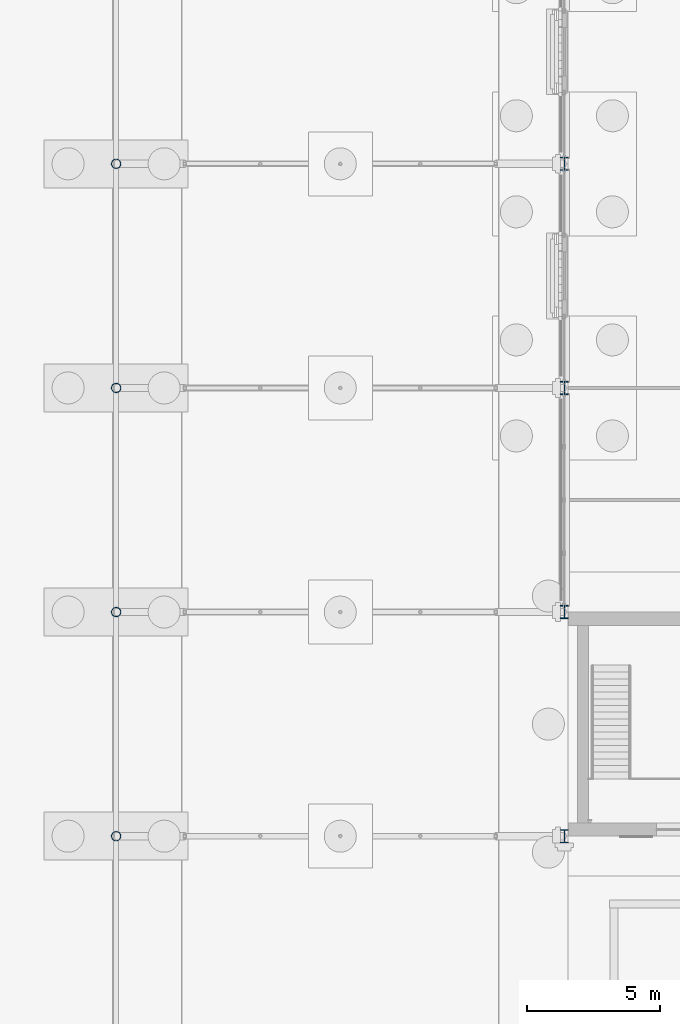
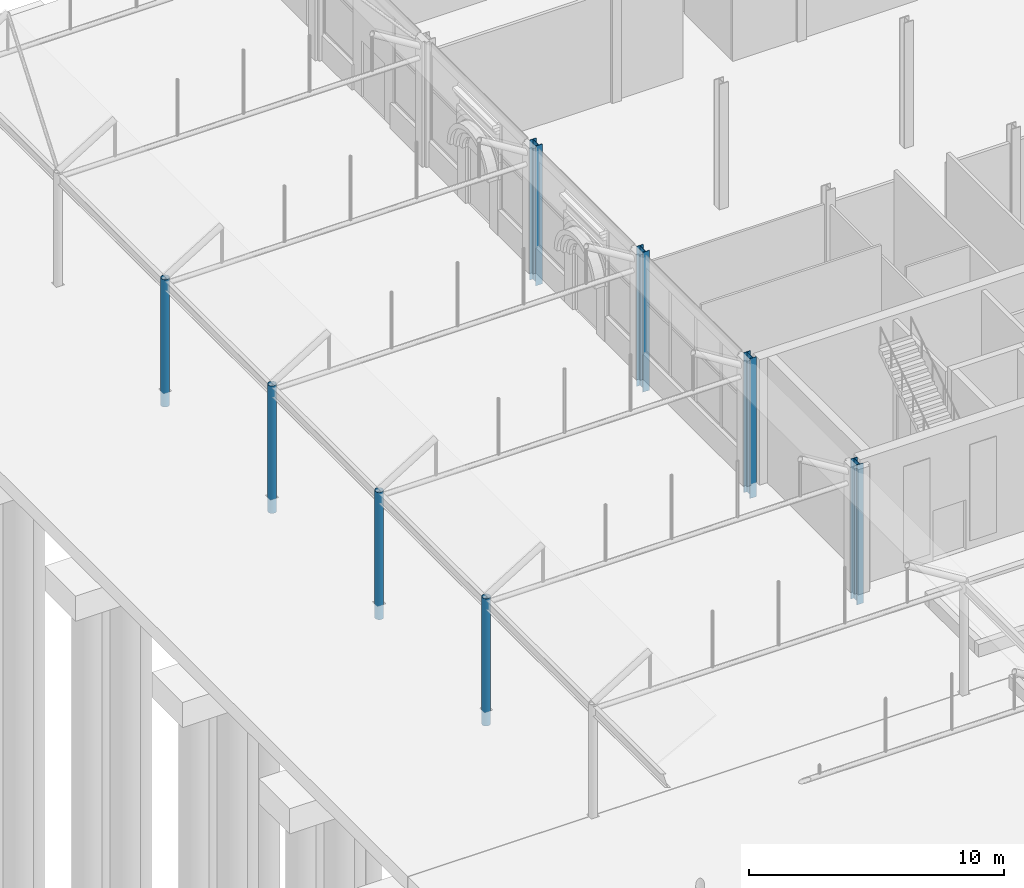
# One storey, part 28 of 212: 8 columns.
"""IFC4 building model written with IfcOpenShell, lengths in metres."""

from ifc_helpers import new_model, si_unit, direction, frame, origin, origin_2d, place, context, subcontext, project, spatial, hollow_circle, i_section, extrude, material, material_profile, profile_set, type_object, element, save


model = new_model("IFC4")

# Units and contexts
model_context = context("Model", 3, precision=1e-05, world=origin(), true_north=direction((0.0, 1.0)))
body_context = subcontext(model_context, "Body", "Model", "MODEL_VIEW")
ifc_project = project(units=[si_unit("LENGTHUNIT", "METRE"), si_unit("AREAUNIT", "SQUARE_METRE"), si_unit("VOLUMEUNIT", "CUBIC_METRE"), si_unit("PLANEANGLEUNIT", "RADIAN"), si_unit("MASSUNIT", "GRAM", prefix="KILO")], contexts=[model_context])

# Site, building, storey
site_placement = place(None, origin())
site = spatial("IfcSite", under=ifc_project, at=site_placement, CompositionType="ELEMENT")
building_placement = place(site_placement, origin())
building = spatial("IfcBuilding", under=site, at=building_placement, Name="Catenary Quay Ferry Terminal", CompositionType="ELEMENT")
storey_placement = place(building_placement, origin())
storey = spatial("IfcBuildingStorey", under=building, at=storey_placement, Name="L00", CompositionType="ELEMENT", Elevation=0.0)

# Columns
ifc_material_1 = material(Name="Steel S355", Category="steel")
ifc_material_profile_1 = material_profile(ifc_material_1, i_section(OverallWidth=0.300048828125, OverallDepth=0.5, WebThickness=0.014404296875, FlangeThickness=0.028076171875, at=origin_2d()), Name="HEB 500")
ifc_profile_set_1 = profile_set([ifc_material_profile_1], Name="Steel S355")
column_type_1 = type_object("IfcColumnType", Name="C1 HEB 500", PredefinedType="COLUMN", material=ifc_profile_set_1)
for number, where, z_axis, x_axis, name in (
    (1, (25.199951171875, 159.60009765625, -0.699951171875), (0.0, 0.0, 1.0), (1.0, 0.0, 0.0), "Column C-D20 L00"),
    (2, (25.199951171875, 168.0, -0.699951171875), (0.0, 0.0, 1.0), (1.0, 0.0, 0.0), "Column C-D21 L00"),
    (3, (25.199951171875, 176.39990234375, -0.699951171875), (0.0, 0.0, 1.0), (1.0, 0.0, 0.0), "Column C-D22 L00"),
    (4, (25.199951171875, 184.800048828125, -0.699951171875), (0.0, 0.0, 1.0), (1.0, 0.0, 0.0), "Column C-D23 L00"),
):
    element("IfcColumn", number, at=place(storey_placement, frame(where, z_axis=z_axis, x_axis=x_axis)), inside=storey, type_object=column_type_1, Name=name, PredefinedType="COLUMN", context=body_context, shape_type="SweptSolid", body=[
        extrude(i_section(OverallWidth=0.300048828125, OverallDepth=0.5, WebThickness=0.014404296875, FlangeThickness=0.028076171875, at=origin_2d()), origin(), (0.0, 0.0, 1.0), 6.699951171875),
    ])
ifc_material_2 = material(Name="Steel S355", Category="steel")
ifc_material_profile_2 = material_profile(ifc_material_2, hollow_circle(Radius=0.177734375, WallThickness=0.012451171875, at=origin_2d()), Name="CHS 355.6x12.5")
ifc_profile_set_2 = profile_set([ifc_material_profile_2], Name="Steel S355")
column_type_2 = type_object("IfcColumnType", Name="C5 CHS 355.6x12.5", PredefinedType="COLUMN", material=ifc_profile_set_2)
for number, where, z_axis, x_axis, name in (
    (5, (8.39990234375, 159.60009765625, -0.699951171875), (0.0, 0.0, 1.0), (1.0, 0.0, 0.0), "Column C-B20 L00"),
    (6, (8.39990234375, 168.0, -0.699951171875), (0.0, 0.0, 1.0), (1.0, 0.0, 0.0), "Column C-B21 L00"),
    (7, (8.39990234375, 176.39990234375, -0.699951171875), (0.0, 0.0, 1.0), (1.0, 0.0, 0.0), "Column C-B22 L00"),
    (8, (8.39990234375, 184.800048828125, -0.699951171875), (0.0, 0.0, 1.0), (1.0, 0.0, 0.0), "Column C-B23 L00"),
):
    element("IfcColumn", number, at=place(storey_placement, frame(where, z_axis=z_axis, x_axis=x_axis)), inside=storey, type_object=column_type_2, Name=name, PredefinedType="COLUMN", context=body_context, shape_type="SweptSolid", body=[
        extrude(hollow_circle(Radius=0.177734375, WallThickness=0.012451171875, at=origin_2d()), origin(), (0.0, 0.0, 1.0), 6.099853515625),
    ])

save(model, "model.ifc")
